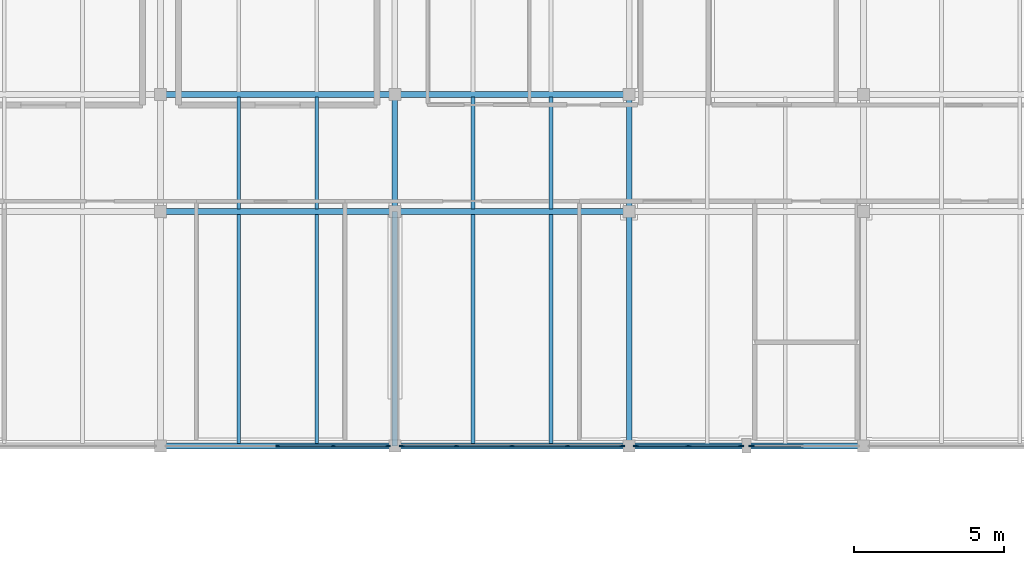
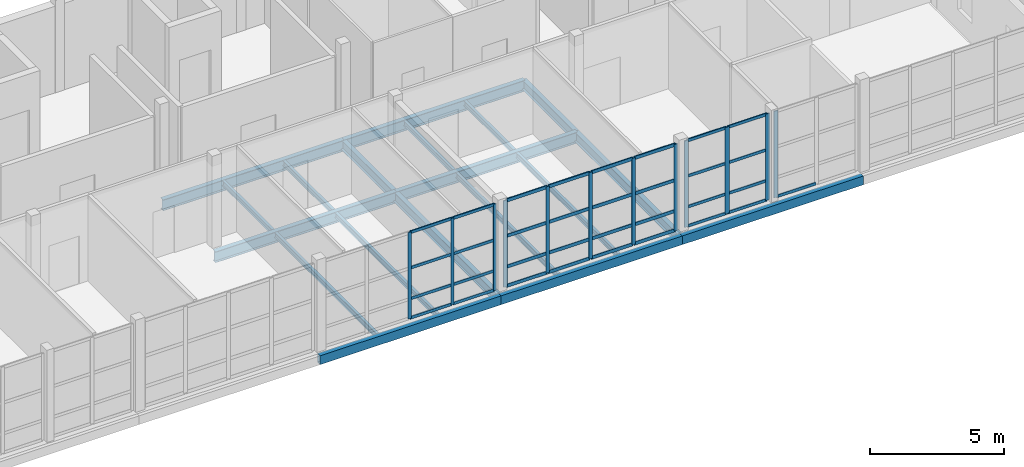
# One storey, part 7 of 21: 45 members, 19 beams, 4 elements without a shape of their own.
"""IFC4 building model written with IfcOpenShell, lengths in metres."""

from ifc_helpers import new_model, si_unit, direction, frame, origin, origin_2d, place, context, subcontext, project, spatial, rectangle, hollow_rectangle, i_section, extrude, material, layer, layer_set, material_profile, profile_set, type_object, element, aggregate, save


model = new_model("IFC4")

# Units and contexts
model_context = context("Model", 3, precision=1e-05, world=origin(), true_north=direction((0.0, 1.0)))
body_context = subcontext(model_context, "Body", "Model", "MODEL_VIEW")
ifc_project = project(units=[si_unit("LENGTHUNIT", "METRE"), si_unit("AREAUNIT", "SQUARE_METRE"), si_unit("VOLUMEUNIT", "CUBIC_METRE"), si_unit("PLANEANGLEUNIT", "RADIAN"), si_unit("MASSUNIT", "GRAM", prefix="KILO")], contexts=[model_context])

# Site, building, storey
site_placement = place(None, origin())
site = spatial("IfcSite", under=ifc_project, at=site_placement, CompositionType="ELEMENT")
building_placement = place(site_placement, origin())
building = spatial("IfcBuilding", under=site, at=building_placement, Name="Celorna Specialist Clinic", CompositionType="ELEMENT")
storey_placement = place(building_placement, frame((0.0, 0.0, 23.10009765625)))
storey = spatial("IfcBuildingStorey", under=building, at=storey_placement, Name="L05", CompositionType="ELEMENT", Elevation=23.10009765625)

# Beams
ifc_material_1 = material(Name="Steel S355", Category="steel")
ifc_material_profile_1 = material_profile(ifc_material_1, i_section(OverallWidth=0.199951171875, OverallDepth=0.5, WebThickness=0.01025390625, FlangeThickness=0.01611328125, at=origin_2d()), Name="IPE 500")
ifc_profile_set_1 = profile_set([ifc_material_profile_1], Name="Steel S355")
beam_type_1 = type_object("IfcBeamType", Name="BM-08", PredefinedType="BEAM", material=ifc_profile_set_1)
for number, where, z_axis, x_axis, name in (
    (1, (62.39990234375, 104.300048828125, -0.530029296875), (1.0, 0.0, 0.0), (0.0, 1.0, 0.0), "Primary girder BM-08 #1424"),
    (2, (70.199951171875, 104.300048828125, -0.530029296875), (1.0, 0.0, 0.0), (0.0, 1.0, 0.0), "Primary girder BM-08 #1425"),
    (3, (62.39990234375, 108.199951171875, -0.530029296875), (1.0, 0.0, 0.0), (0.0, 1.0, 0.0), "Primary girder BM-08 #1430"),
    (4, (70.199951171875, 108.199951171875, -0.530029296875), (1.0, 0.0, 0.0), (0.0, 1.0, 0.0), "Primary girder BM-08 #1431"),
):
    element("IfcBeam", number, at=place(storey_placement, frame(where, z_axis=z_axis, x_axis=x_axis)), inside=storey, type_object=beam_type_1, Name=name, PredefinedType="BEAM", context=body_context, shape_type="SweptSolid", body=[
        extrude(i_section(OverallWidth=0.199951171875, OverallDepth=0.5, WebThickness=0.01025390625, FlangeThickness=0.01611328125, at=origin_2d()), origin(), (0.0, 0.0, 1.0), 7.800048828125),
    ])
ifc_material_profile_2 = material_profile(ifc_material_1, i_section(OverallWidth=0.18994140625, OverallDepth=0.449951171875, WebThickness=0.009521484375, FlangeThickness=0.0146484375, at=origin_2d()), Name="IPE 450")
ifc_profile_set_2 = profile_set([ifc_material_profile_2], Name="Steel S355")
beam_type_2 = type_object("IfcBeamType", Name="BM-09", PredefinedType="BEAM", material=ifc_profile_set_2)
beam_1_placement = place(storey_placement, frame((70.199951171875, 96.5, -0.505126953125), z_axis=(0.0, 1.0, 0.0), x_axis=(-1.0, 0.0, 0.0)))
element("IfcBeam", 5, at=beam_1_placement, inside=storey, type_object=beam_type_2, Name="Transverse girder BM-09 #1449", PredefinedType="BEAM", context=body_context, shape_type="SweptSolid", body=[
    extrude(i_section(OverallWidth=0.18994140625, OverallDepth=0.449951171875, WebThickness=0.009521484375, FlangeThickness=0.0146484375, at=origin_2d()), origin(), (0.0, 0.0, 1.0), 7.800048828125),
])
beam_2_placement = place(storey_placement, frame((70.199951171875, 104.300048828125, -0.505126953125), z_axis=(0.0, 1.0, 0.0), x_axis=(-1.0, 0.0, 0.0)))
element("IfcBeam", 6, at=beam_2_placement, inside=storey, type_object=beam_type_2, Name="Transverse girder BM-09 #1450", PredefinedType="BEAM", context=body_context, shape_type="SweptSolid", body=[
    extrude(i_section(OverallWidth=0.18994140625, OverallDepth=0.449951171875, WebThickness=0.009521484375, FlangeThickness=0.0146484375, at=origin_2d()), origin(), (0.0, 0.0, 1.0), 3.89990234375),
])
beam_3_placement = place(storey_placement, frame((78.0, 96.5, -0.505126953125), z_axis=(0.0, 1.0, 0.0), x_axis=(-1.0, 0.0, 0.0)))
element("IfcBeam", 7, at=beam_3_placement, inside=storey, type_object=beam_type_2, Name="Transverse girder BM-09 #1452", PredefinedType="BEAM", context=body_context, shape_type="SweptSolid", body=[
    extrude(i_section(OverallWidth=0.18994140625, OverallDepth=0.449951171875, WebThickness=0.009521484375, FlangeThickness=0.0146484375, at=origin_2d()), origin(), (0.0, 0.0, 1.0), 7.800048828125),
])
beam_4_placement = place(storey_placement, frame((78.0, 104.300048828125, -0.505126953125), z_axis=(0.0, 1.0, 0.0), x_axis=(-1.0, 0.0, 0.0)))
element("IfcBeam", 8, at=beam_4_placement, inside=storey, type_object=beam_type_2, Name="Transverse girder BM-09 #1453", PredefinedType="BEAM", context=body_context, shape_type="SweptSolid", body=[
    extrude(i_section(OverallWidth=0.18994140625, OverallDepth=0.449951171875, WebThickness=0.009521484375, FlangeThickness=0.0146484375, at=origin_2d()), origin(), (0.0, 0.0, 1.0), 3.89990234375),
])
ifc_material_profile_3 = material_profile(ifc_material_1, hollow_rectangle(XDim=0.199951171875, YDim=0.39990234375, WallThickness=0.011962890625, at=origin_2d()), Name="RHS 200x400x12")
ifc_profile_set_3 = profile_set([ifc_material_profile_3], Name="Steel S355")
beam_type_3 = type_object("IfcBeamType", Name="BM-15", PredefinedType="SPANDREL", material=ifc_profile_set_3)
for number, where, z_axis, x_axis, name in (
    (9, (62.39990234375, 96.5, -0.47998046875), (1.0, 0.0, 0.0), (0.0, 1.0, 0.0), "Spandrel beam BM-15 #1418"),
    (10, (70.199951171875, 96.5, -0.47998046875), (1.0, 0.0, 0.0), (0.0, 1.0, 0.0), "Spandrel beam BM-15 #1419"),
    (11, (78.0, 96.5, -0.47998046875), (1.0, 0.0, 0.0), (0.0, 1.0, 0.0), "Spandrel beam BM-15 #1420"),
):
    element("IfcBeam", number, at=place(storey_placement, frame(where, z_axis=z_axis, x_axis=x_axis)), inside=storey, type_object=beam_type_3, Name=name, PredefinedType="SPANDREL", context=body_context, shape_type="SweptSolid", body=[
        extrude(hollow_rectangle(XDim=0.199951171875, YDim=0.39990234375, WallThickness=0.011962890625, at=origin_2d()), origin(), (0.0, 0.0, 1.0), 7.800048828125),
    ])
ifc_material_profile_4 = material_profile(ifc_material_1, i_section(OverallWidth=0.1201171875, OverallDepth=0.239990234375, WebThickness=0.006103515625, FlangeThickness=0.009765625, at=origin_2d()), Name="IPE 240")
ifc_profile_set_4 = profile_set([ifc_material_profile_4], Name="Steel S355")
beam_type_4 = type_object("IfcBeamType", Name="BM-23", PredefinedType="JOIST", material=ifc_profile_set_4)
for number, where, z_axis, x_axis, name in (
    (12, (65.0, 96.587890625, -0.400146484375), (0.0, 1.0, 0.0), (-1.0, 0.0, 0.0), "Secondary floor joist BM-23 #1471"),
    (13, (67.60009765625, 96.587890625, -0.400146484375), (0.0, 1.0, 0.0), (-1.0, 0.0, 0.0), "Secondary floor joist BM-23 #1472"),
):
    element("IfcBeam", number, at=place(storey_placement, frame(where, z_axis=z_axis, x_axis=x_axis)), inside=storey, type_object=beam_type_4, Name=name, PredefinedType="JOIST", context=body_context, shape_type="SweptSolid", body=[
        extrude(i_section(OverallWidth=0.1201171875, OverallDepth=0.239990234375, WebThickness=0.006103515625, FlangeThickness=0.009765625, at=origin_2d()), origin(), (0.0, 0.0, 1.0), 7.6240234375),
    ])
for number, where, z_axis, x_axis, name in (
    (14, (65.0, 104.387939453125, -0.400146484375), (0.0, 1.0, 0.0), (-1.0, 0.0, 0.0), "Secondary floor joist BM-23 #1473"),
    (15, (67.60009765625, 104.387939453125, -0.400146484375), (0.0, 1.0, 0.0), (-1.0, 0.0, 0.0), "Secondary floor joist BM-23 #1474"),
):
    element("IfcBeam", number, at=place(storey_placement, frame(where, z_axis=z_axis, x_axis=x_axis)), inside=storey, type_object=beam_type_4, Name=name, PredefinedType="JOIST", context=body_context, shape_type="SweptSolid", body=[
        extrude(i_section(OverallWidth=0.1201171875, OverallDepth=0.239990234375, WebThickness=0.006103515625, FlangeThickness=0.009765625, at=origin_2d()), origin(), (0.0, 0.0, 1.0), 3.72412109375),
    ])
for number, where, z_axis, x_axis, name in (
    (16, (72.800048828125, 96.587890625, -0.400146484375), (0.0, 1.0, 0.0), (-1.0, 0.0, 0.0), "Secondary floor joist BM-23 #1477"),
    (17, (75.39990234375, 96.587890625, -0.400146484375), (0.0, 1.0, 0.0), (-1.0, 0.0, 0.0), "Secondary floor joist BM-23 #1478"),
):
    element("IfcBeam", number, at=place(storey_placement, frame(where, z_axis=z_axis, x_axis=x_axis)), inside=storey, type_object=beam_type_4, Name=name, PredefinedType="JOIST", context=body_context, shape_type="SweptSolid", body=[
        extrude(i_section(OverallWidth=0.1201171875, OverallDepth=0.239990234375, WebThickness=0.006103515625, FlangeThickness=0.009765625, at=origin_2d()), origin(), (0.0, 0.0, 1.0), 7.6240234375),
    ])
for number, where, z_axis, x_axis, name in (
    (18, (72.800048828125, 104.387939453125, -0.400146484375), (0.0, 1.0, 0.0), (-1.0, 0.0, 0.0), "Secondary floor joist BM-23 #1479"),
    (19, (75.39990234375, 104.387939453125, -0.400146484375), (0.0, 1.0, 0.0), (-1.0, 0.0, 0.0), "Secondary floor joist BM-23 #1480"),
):
    element("IfcBeam", number, at=place(storey_placement, frame(where, z_axis=z_axis, x_axis=x_axis)), inside=storey, type_object=beam_type_4, Name=name, PredefinedType="JOIST", context=body_context, shape_type="SweptSolid", body=[
        extrude(i_section(OverallWidth=0.1201171875, OverallDepth=0.239990234375, WebThickness=0.006103515625, FlangeThickness=0.009765625, at=origin_2d()), origin(), (0.0, 0.0, 1.0), 3.72412109375),
    ])

# Curtain wall, members
ifc_material_2 = material(Name="Thermally broken aluminium and solar-control glass curtain wall", Category="aluminium")
ifc_layer_1 = layer(ifc_material_2, 0.159912109375, Name="Thermally broken aluminium and solar-control glass curtain wall")
ifc_layer_set_1 = layer_set([ifc_layer_1], Name="Thermally broken aluminium and solar-control glass curtain wall")
curtain_wall_type_1 = type_object("IfcCurtainWallType", Name="CW-80", PredefinedType="NOTDEFINED", material=ifc_layer_set_1)
curtain_wall_1_placement = place(storey_placement, origin())
curtain_wall_1 = element("IfcCurtainWall", 20, at=curtain_wall_1_placement, inside=storey, type_object=curtain_wall_type_1, Name="Curtain wall CW-80 #149", PredefinedType="NOTDEFINED")
ifc_material_3 = material(Name="Anodized aluminium mullion", Category="aluminium")
ifc_material_profile_5 = material_profile(ifc_material_3, rectangle(XDim=0.050048828125, YDim=0.159912109375, at=origin_2d()), Name="ALU MULLION 50x160")
ifc_profile_set_5 = profile_set([ifc_material_profile_5], Name="Anodized aluminium mullion")
member_type_1 = type_object("IfcMemberType", Name="ML-01", PredefinedType="MULLION", material=ifc_profile_set_5)
member_1_placement = place(storey_placement, frame((77.77099609375, 96.5, 0.0), z_axis=(0.0, 0.0, 1.0), x_axis=(0.0, -1.0, 0.0)))
member_1 = element("IfcMember", 21, at=member_1_placement, type_object=member_type_1, Name="CW-80 mullion 1", PredefinedType="MULLION", context=body_context, shape_type="SweptSolid", body=[
    extrude(rectangle(XDim=0.050048828125, YDim=0.159912109375, at=origin_2d()), origin(), (0.0, 0.0, 1.0), 3.93994140625),
])
member_2_placement = place(storey_placement, frame((75.947998046875, 96.5, 0.0), z_axis=(0.0, 0.0, 1.0), x_axis=(0.0, -1.0, 0.0)))
member_2 = element("IfcMember", 22, at=member_2_placement, type_object=member_type_1, Name="CW-80 mullion 2", PredefinedType="MULLION", context=body_context, shape_type="SweptSolid", body=[
    extrude(rectangle(XDim=0.050048828125, YDim=0.159912109375, at=origin_2d()), origin(), (0.0, 0.0, 1.0), 3.93994140625),
])
member_3_placement = place(storey_placement, frame((74.10009765625, 96.5, 0.0), z_axis=(0.0, 0.0, 1.0), x_axis=(0.0, -1.0, 0.0)))
member_3 = element("IfcMember", 23, at=member_3_placement, type_object=member_type_1, Name="CW-80 mullion 3", PredefinedType="MULLION", context=body_context, shape_type="SweptSolid", body=[
    extrude(rectangle(XDim=0.050048828125, YDim=0.159912109375, at=origin_2d()), origin(), (0.0, 0.0, 1.0), 3.93994140625),
])
member_4_placement = place(storey_placement, frame((72.251953125, 96.5, 0.0), z_axis=(0.0, 0.0, 1.0), x_axis=(0.0, -1.0, 0.0)))
member_4 = element("IfcMember", 24, at=member_4_placement, type_object=member_type_1, Name="CW-80 mullion 4", PredefinedType="MULLION", context=body_context, shape_type="SweptSolid", body=[
    extrude(rectangle(XDim=0.050048828125, YDim=0.159912109375, at=origin_2d()), origin(), (0.0, 0.0, 1.0), 3.93994140625),
])
member_5_placement = place(storey_placement, frame((70.428955078125, 96.5, 0.0), z_axis=(0.0, 0.0, 1.0), x_axis=(0.0, -1.0, 0.0)))
member_5 = element("IfcMember", 25, at=member_5_placement, type_object=member_type_1, Name="CW-80 mullion 5", PredefinedType="MULLION", context=body_context, shape_type="SweptSolid", body=[
    extrude(rectangle(XDim=0.050048828125, YDim=0.159912109375, at=origin_2d()), origin(), (0.0, 0.0, 1.0), 3.93994140625),
])

# Curtain wall, member
ifc_layer_2 = layer(ifc_material_2, 0.159912109375, Name="Thermally broken aluminium and solar-control glass curtain wall")
ifc_layer_set_2 = layer_set([ifc_layer_2], Name="Thermally broken aluminium and solar-control glass curtain wall")
curtain_wall_type_2 = type_object("IfcCurtainWallType", Name="CW-81", PredefinedType="NOTDEFINED", material=ifc_layer_set_2)
curtain_wall_2_placement = place(storey_placement, origin())
curtain_wall_2 = element("IfcCurtainWall", 26, at=curtain_wall_2_placement, inside=storey, type_object=curtain_wall_type_2, Name="Curtain wall CW-81 #150", PredefinedType="NOTDEFINED")
ifc_material_profile_6 = material_profile(ifc_material_3, rectangle(XDim=0.050048828125, YDim=0.179931640625, at=origin_2d()), Name="ALU MULLION 50x180")
ifc_profile_set_6 = profile_set([ifc_material_profile_6], Name="Anodized aluminium mullion")
member_type_2 = type_object("IfcMemberType", Name="ML-02", PredefinedType="MULLION", material=ifc_profile_set_6)
member_6_placement = place(storey_placement, frame((82.0791015625, 96.5, 0.0), z_axis=(0.0, 0.0, 1.0), x_axis=(0.0, -1.0, 0.0)))
member_6 = element("IfcMember", 27, at=member_6_placement, type_object=member_type_2, Name="CW-81 mullion 3", PredefinedType="MULLION", context=body_context, shape_type="SweptSolid", body=[
    extrude(rectangle(XDim=0.050048828125, YDim=0.179931640625, at=origin_2d()), origin(), (0.0, 0.0, 1.0), 3.93994140625),
])

# Curtain wall, members
curtain_wall_3_placement = place(storey_placement, origin())
curtain_wall_3 = element("IfcCurtainWall", 28, at=curtain_wall_3_placement, inside=storey, type_object=curtain_wall_type_2, Name="Curtain wall CW-81 #151", PredefinedType="NOTDEFINED")
member_7_placement = place(storey_placement, frame((81.720947265625, 96.5, 0.0), z_axis=(0.0, 0.0, 1.0), x_axis=(0.0, -1.0, 0.0)))
member_7 = element("IfcMember", 29, at=member_7_placement, type_object=member_type_2, Name="CW-81 mullion 1", PredefinedType="MULLION", context=body_context, shape_type="SweptSolid", body=[
    extrude(rectangle(XDim=0.050048828125, YDim=0.179931640625, at=origin_2d()), origin(), (0.0, 0.0, 1.0), 3.93994140625),
])
member_8_placement = place(storey_placement, frame((79.97509765625, 96.5, 0.0), z_axis=(0.0, 0.0, 1.0), x_axis=(0.0, -1.0, 0.0)))
member_8 = element("IfcMember", 30, at=member_8_placement, type_object=member_type_2, Name="CW-81 mullion 2", PredefinedType="MULLION", context=body_context, shape_type="SweptSolid", body=[
    extrude(rectangle(XDim=0.050048828125, YDim=0.179931640625, at=origin_2d()), origin(), (0.0, 0.0, 1.0), 3.93994140625),
])
member_9_placement = place(storey_placement, frame((78.22900390625, 96.5, 0.0), z_axis=(0.0, 0.0, 1.0), x_axis=(0.0, -1.0, 0.0)))
member_9 = element("IfcMember", 31, at=member_9_placement, type_object=member_type_2, Name="CW-81 mullion 3", PredefinedType="MULLION", context=body_context, shape_type="SweptSolid", body=[
    extrude(rectangle(XDim=0.050048828125, YDim=0.179931640625, at=origin_2d()), origin(), (0.0, 0.0, 1.0), 3.93994140625),
])

ifc_layer_3 = layer(ifc_material_2, 0.159912109375, Name="Thermally broken aluminium and solar-control glass curtain wall")
ifc_layer_set_3 = layer_set([ifc_layer_3], Name="Thermally broken aluminium and solar-control glass curtain wall")
curtain_wall_type_3 = type_object("IfcCurtainWallType", Name="CW-79", PredefinedType="NOTDEFINED", material=ifc_layer_set_3)
curtain_wall_4_placement = place(storey_placement, origin())
curtain_wall_4 = element("IfcCurtainWall", 32, at=curtain_wall_4_placement, inside=storey, type_object=curtain_wall_type_3, Name="Curtain wall CW-79 #148", PredefinedType="NOTDEFINED")
ifc_material_profile_7 = material_profile(ifc_material_3, rectangle(XDim=0.050048828125, YDim=0.139892578125, at=origin_2d()), Name="ALU MULLION 50x140")
ifc_profile_set_7 = profile_set([ifc_material_profile_7], Name="Anodized aluminium mullion")
member_type_3 = type_object("IfcMemberType", Name="ML-03", PredefinedType="MULLION", material=ifc_profile_set_7)
member_10_placement = place(storey_placement, frame((69.970947265625, 96.5, 0.0), z_axis=(0.0, 0.0, 1.0), x_axis=(0.0, -1.0, 0.0)))
member_10 = element("IfcMember", 33, at=member_10_placement, type_object=member_type_3, Name="CW-79 mullion 1", PredefinedType="MULLION", context=body_context, shape_type="SweptSolid", body=[
    extrude(rectangle(XDim=0.050048828125, YDim=0.139892578125, at=origin_2d()), origin(), (0.0, 0.0, 1.0), 3.93994140625),
])
member_11_placement = place(storey_placement, frame((68.14794921875, 96.5, 0.0), z_axis=(0.0, 0.0, 1.0), x_axis=(0.0, -1.0, 0.0)))
member_11 = element("IfcMember", 34, at=member_11_placement, type_object=member_type_3, Name="CW-79 mullion 2", PredefinedType="MULLION", context=body_context, shape_type="SweptSolid", body=[
    extrude(rectangle(XDim=0.050048828125, YDim=0.139892578125, at=origin_2d()), origin(), (0.0, 0.0, 1.0), 3.93994140625),
])
member_12_placement = place(storey_placement, frame((66.300048828125, 96.5, 0.0), z_axis=(0.0, 0.0, 1.0), x_axis=(0.0, -1.0, 0.0)))
member_12 = element("IfcMember", 35, at=member_12_placement, type_object=member_type_3, Name="CW-79 mullion 3", PredefinedType="MULLION", context=body_context, shape_type="SweptSolid", body=[
    extrude(rectangle(XDim=0.050048828125, YDim=0.139892578125, at=origin_2d()), origin(), (0.0, 0.0, 1.0), 3.93994140625),
])
ifc_material_4 = material(Name="Anodized aluminium transom", Category="aluminium")
ifc_material_profile_8 = material_profile(ifc_material_4, rectangle(XDim=0.050048828125, YDim=0.1298828125, at=origin_2d()), Name="ALU TRANSOM 50x130")
ifc_profile_set_8 = profile_set([ifc_material_profile_8], Name="Anodized aluminium transom")
member_type_4 = type_object("IfcMemberType", Name="TR-01", PredefinedType="USERDEFINED", material=ifc_profile_set_8)
member_13_placement = place(storey_placement, frame((69.946044921875, 96.5, 0.02490234375), z_axis=(-1.0, 0.0, 0.0), x_axis=(0.0, -1.0, 0.0)))
member_13 = element("IfcMember", 36, at=member_13_placement, type_object=member_type_4, Name="CW-79 transom 1.1", ObjectType="TRANSOM", PredefinedType="USERDEFINED", context=body_context, shape_type="SweptSolid", body=[
    extrude(rectangle(XDim=0.050048828125, YDim=0.1298828125, at=origin_2d()), origin(), (0.0, 0.0, 1.0), 1.77294921875),
])
member_14_placement = place(storey_placement, frame((69.946044921875, 96.5, 0.89990234375), z_axis=(-1.0, 0.0, 0.0), x_axis=(0.0, -1.0, 0.0)))
member_14 = element("IfcMember", 37, at=member_14_placement, type_object=member_type_4, Name="CW-79 transom 1.2", ObjectType="TRANSOM", PredefinedType="USERDEFINED", context=body_context, shape_type="SweptSolid", body=[
    extrude(rectangle(XDim=0.050048828125, YDim=0.1298828125, at=origin_2d()), origin(), (0.0, 0.0, 1.0), 1.77294921875),
])
member_15_placement = place(storey_placement, frame((69.946044921875, 96.5, 2.2998046875), z_axis=(-1.0, 0.0, 0.0), x_axis=(0.0, -1.0, 0.0)))
member_15 = element("IfcMember", 38, at=member_15_placement, type_object=member_type_4, Name="CW-79 transom 1.3", ObjectType="TRANSOM", PredefinedType="USERDEFINED", context=body_context, shape_type="SweptSolid", body=[
    extrude(rectangle(XDim=0.050048828125, YDim=0.1298828125, at=origin_2d()), origin(), (0.0, 0.0, 1.0), 1.77294921875),
])
member_16_placement = place(storey_placement, frame((69.946044921875, 96.5, 3.914794921875), z_axis=(-1.0, 0.0, 0.0), x_axis=(0.0, -1.0, 0.0)))
member_16 = element("IfcMember", 39, at=member_16_placement, type_object=member_type_4, Name="CW-79 transom 1.4", ObjectType="TRANSOM", PredefinedType="USERDEFINED", context=body_context, shape_type="SweptSolid", body=[
    extrude(rectangle(XDim=0.050048828125, YDim=0.1298828125, at=origin_2d()), origin(), (0.0, 0.0, 1.0), 1.77294921875),
])
member_17_placement = place(storey_placement, frame((68.123046875, 96.5, 0.02490234375), z_axis=(-1.0, 0.0, 0.0), x_axis=(0.0, -1.0, 0.0)))
member_17 = element("IfcMember", 40, at=member_17_placement, type_object=member_type_4, Name="CW-79 transom 2.1", ObjectType="TRANSOM", PredefinedType="USERDEFINED", context=body_context, shape_type="SweptSolid", body=[
    extrude(rectangle(XDim=0.050048828125, YDim=0.1298828125, at=origin_2d()), origin(), (0.0, 0.0, 1.0), 1.798095703125),
])
member_18_placement = place(storey_placement, frame((68.123046875, 96.5, 0.89990234375), z_axis=(-1.0, 0.0, 0.0), x_axis=(0.0, -1.0, 0.0)))
member_18 = element("IfcMember", 41, at=member_18_placement, type_object=member_type_4, Name="CW-79 transom 2.2", ObjectType="TRANSOM", PredefinedType="USERDEFINED", context=body_context, shape_type="SweptSolid", body=[
    extrude(rectangle(XDim=0.050048828125, YDim=0.1298828125, at=origin_2d()), origin(), (0.0, 0.0, 1.0), 1.798095703125),
])
member_19_placement = place(storey_placement, frame((68.123046875, 96.5, 2.2998046875), z_axis=(-1.0, 0.0, 0.0), x_axis=(0.0, -1.0, 0.0)))
member_19 = element("IfcMember", 42, at=member_19_placement, type_object=member_type_4, Name="CW-79 transom 2.3", ObjectType="TRANSOM", PredefinedType="USERDEFINED", context=body_context, shape_type="SweptSolid", body=[
    extrude(rectangle(XDim=0.050048828125, YDim=0.1298828125, at=origin_2d()), origin(), (0.0, 0.0, 1.0), 1.798095703125),
])
member_20_placement = place(storey_placement, frame((68.123046875, 96.5, 3.914794921875), z_axis=(-1.0, 0.0, 0.0), x_axis=(0.0, -1.0, 0.0)))
member_20 = element("IfcMember", 43, at=member_20_placement, type_object=member_type_4, Name="CW-79 transom 2.4", ObjectType="TRANSOM", PredefinedType="USERDEFINED", context=body_context, shape_type="SweptSolid", body=[
    extrude(rectangle(XDim=0.050048828125, YDim=0.1298828125, at=origin_2d()), origin(), (0.0, 0.0, 1.0), 1.798095703125),
])
aggregate(curtain_wall_4, [member_10, member_11, member_12, member_13, member_14, member_15, member_16, member_17, member_18, member_19, member_20])

# Member
member_21_placement = place(storey_placement, frame((83.800048828125, 96.5, 0.02490234375), z_axis=(-1.0, 0.0, 0.0), x_axis=(0.0, -1.0, 0.0)))
member_21 = element("IfcMember", 44, at=member_21_placement, type_object=member_type_4, Name="CW-81 transom 2.1", ObjectType="TRANSOM", PredefinedType="USERDEFINED", context=body_context, shape_type="SweptSolid", body=[
    extrude(rectangle(XDim=0.050048828125, YDim=0.1298828125, at=origin_2d()), origin(), (0.0, 0.0, 1.0), 1.696044921875),
])

aggregate(curtain_wall_2, [member_6, member_21])

member_22_placement = place(storey_placement, frame((81.696044921875, 96.5, 0.02490234375), z_axis=(-1.0, 0.0, 0.0), x_axis=(0.0, -1.0, 0.0)))
member_22 = element("IfcMember", 45, at=member_22_placement, type_object=member_type_4, Name="CW-81 transom 1.1", ObjectType="TRANSOM", PredefinedType="USERDEFINED", context=body_context, shape_type="SweptSolid", body=[
    extrude(rectangle(XDim=0.050048828125, YDim=0.1298828125, at=origin_2d()), origin(), (0.0, 0.0, 1.0), 1.696044921875),
])

member_23_placement = place(storey_placement, frame((81.696044921875, 96.5, 0.89990234375), z_axis=(-1.0, 0.0, 0.0), x_axis=(0.0, -1.0, 0.0)))
member_23 = element("IfcMember", 46, at=member_23_placement, type_object=member_type_4, Name="CW-81 transom 1.2", ObjectType="TRANSOM", PredefinedType="USERDEFINED", context=body_context, shape_type="SweptSolid", body=[
    extrude(rectangle(XDim=0.050048828125, YDim=0.1298828125, at=origin_2d()), origin(), (0.0, 0.0, 1.0), 1.696044921875),
])

member_24_placement = place(storey_placement, frame((81.696044921875, 96.5, 2.2998046875), z_axis=(-1.0, 0.0, 0.0), x_axis=(0.0, -1.0, 0.0)))
member_24 = element("IfcMember", 47, at=member_24_placement, type_object=member_type_4, Name="CW-81 transom 1.3", ObjectType="TRANSOM", PredefinedType="USERDEFINED", context=body_context, shape_type="SweptSolid", body=[
    extrude(rectangle(XDim=0.050048828125, YDim=0.1298828125, at=origin_2d()), origin(), (0.0, 0.0, 1.0), 1.696044921875),
])

member_25_placement = place(storey_placement, frame((81.696044921875, 96.5, 3.914794921875), z_axis=(-1.0, 0.0, 0.0), x_axis=(0.0, -1.0, 0.0)))
member_25 = element("IfcMember", 48, at=member_25_placement, type_object=member_type_4, Name="CW-81 transom 1.4", ObjectType="TRANSOM", PredefinedType="USERDEFINED", context=body_context, shape_type="SweptSolid", body=[
    extrude(rectangle(XDim=0.050048828125, YDim=0.1298828125, at=origin_2d()), origin(), (0.0, 0.0, 1.0), 1.696044921875),
])

member_26_placement = place(storey_placement, frame((79.949951171875, 96.5, 0.02490234375), z_axis=(-1.0, 0.0, 0.0), x_axis=(0.0, -1.0, 0.0)))
member_26 = element("IfcMember", 49, at=member_26_placement, type_object=member_type_4, Name="CW-81 transom 2.1", ObjectType="TRANSOM", PredefinedType="USERDEFINED", context=body_context, shape_type="SweptSolid", body=[
    extrude(rectangle(XDim=0.050048828125, YDim=0.1298828125, at=origin_2d()), origin(), (0.0, 0.0, 1.0), 1.696044921875),
])

member_27_placement = place(storey_placement, frame((79.949951171875, 96.5, 0.89990234375), z_axis=(-1.0, 0.0, 0.0), x_axis=(0.0, -1.0, 0.0)))
member_27 = element("IfcMember", 50, at=member_27_placement, type_object=member_type_4, Name="CW-81 transom 2.2", ObjectType="TRANSOM", PredefinedType="USERDEFINED", context=body_context, shape_type="SweptSolid", body=[
    extrude(rectangle(XDim=0.050048828125, YDim=0.1298828125, at=origin_2d()), origin(), (0.0, 0.0, 1.0), 1.696044921875),
])

member_28_placement = place(storey_placement, frame((79.949951171875, 96.5, 2.2998046875), z_axis=(-1.0, 0.0, 0.0), x_axis=(0.0, -1.0, 0.0)))
member_28 = element("IfcMember", 51, at=member_28_placement, type_object=member_type_4, Name="CW-81 transom 2.3", ObjectType="TRANSOM", PredefinedType="USERDEFINED", context=body_context, shape_type="SweptSolid", body=[
    extrude(rectangle(XDim=0.050048828125, YDim=0.1298828125, at=origin_2d()), origin(), (0.0, 0.0, 1.0), 1.696044921875),
])

member_29_placement = place(storey_placement, frame((79.949951171875, 96.5, 3.914794921875), z_axis=(-1.0, 0.0, 0.0), x_axis=(0.0, -1.0, 0.0)))
member_29 = element("IfcMember", 52, at=member_29_placement, type_object=member_type_4, Name="CW-81 transom 2.4", ObjectType="TRANSOM", PredefinedType="USERDEFINED", context=body_context, shape_type="SweptSolid", body=[
    extrude(rectangle(XDim=0.050048828125, YDim=0.1298828125, at=origin_2d()), origin(), (0.0, 0.0, 1.0), 1.696044921875),
])

aggregate(curtain_wall_3, [member_7, member_8, member_9, member_22, member_23, member_24, member_25, member_26, member_27, member_28, member_29])

ifc_material_profile_9 = material_profile(ifc_material_4, rectangle(XDim=0.050048828125, YDim=0.14990234375, at=origin_2d()), Name="ALU TRANSOM 50x150")
ifc_profile_set_9 = profile_set([ifc_material_profile_9], Name="Anodized aluminium transom")
member_type_5 = type_object("IfcMemberType", Name="TR-02", PredefinedType="USERDEFINED", material=ifc_profile_set_9)
member_30_placement = place(storey_placement, frame((77.74609375, 96.5, 0.02490234375), z_axis=(-1.0, 0.0, 0.0), x_axis=(0.0, -1.0, 0.0)))
member_30 = element("IfcMember", 53, at=member_30_placement, type_object=member_type_5, Name="CW-80 transom 1.1", ObjectType="TRANSOM", PredefinedType="USERDEFINED", context=body_context, shape_type="SweptSolid", body=[
    extrude(rectangle(XDim=0.050048828125, YDim=0.14990234375, at=origin_2d()), origin(), (0.0, 0.0, 1.0), 1.773193359375),
])

member_31_placement = place(storey_placement, frame((77.74609375, 96.5, 0.89990234375), z_axis=(-1.0, 0.0, 0.0), x_axis=(0.0, -1.0, 0.0)))
member_31 = element("IfcMember", 54, at=member_31_placement, type_object=member_type_5, Name="CW-80 transom 1.2", ObjectType="TRANSOM", PredefinedType="USERDEFINED", context=body_context, shape_type="SweptSolid", body=[
    extrude(rectangle(XDim=0.050048828125, YDim=0.14990234375, at=origin_2d()), origin(), (0.0, 0.0, 1.0), 1.773193359375),
])

member_32_placement = place(storey_placement, frame((77.74609375, 96.5, 2.2998046875), z_axis=(-1.0, 0.0, 0.0), x_axis=(0.0, -1.0, 0.0)))
member_32 = element("IfcMember", 55, at=member_32_placement, type_object=member_type_5, Name="CW-80 transom 1.3", ObjectType="TRANSOM", PredefinedType="USERDEFINED", context=body_context, shape_type="SweptSolid", body=[
    extrude(rectangle(XDim=0.050048828125, YDim=0.14990234375, at=origin_2d()), origin(), (0.0, 0.0, 1.0), 1.773193359375),
])

member_33_placement = place(storey_placement, frame((77.74609375, 96.5, 3.914794921875), z_axis=(-1.0, 0.0, 0.0), x_axis=(0.0, -1.0, 0.0)))
member_33 = element("IfcMember", 56, at=member_33_placement, type_object=member_type_5, Name="CW-80 transom 1.4", ObjectType="TRANSOM", PredefinedType="USERDEFINED", context=body_context, shape_type="SweptSolid", body=[
    extrude(rectangle(XDim=0.050048828125, YDim=0.14990234375, at=origin_2d()), origin(), (0.0, 0.0, 1.0), 1.773193359375),
])

member_34_placement = place(storey_placement, frame((75.923095703125, 96.5, 0.02490234375), z_axis=(-1.0, 0.0, 0.0), x_axis=(0.0, -1.0, 0.0)))
member_34 = element("IfcMember", 57, at=member_34_placement, type_object=member_type_5, Name="CW-80 transom 2.1", ObjectType="TRANSOM", PredefinedType="USERDEFINED", context=body_context, shape_type="SweptSolid", body=[
    extrude(rectangle(XDim=0.050048828125, YDim=0.14990234375, at=origin_2d()), origin(), (0.0, 0.0, 1.0), 1.798095703125),
])

member_35_placement = place(storey_placement, frame((75.923095703125, 96.5, 0.89990234375), z_axis=(-1.0, 0.0, 0.0), x_axis=(0.0, -1.0, 0.0)))
member_35 = element("IfcMember", 58, at=member_35_placement, type_object=member_type_5, Name="CW-80 transom 2.2", ObjectType="TRANSOM", PredefinedType="USERDEFINED", context=body_context, shape_type="SweptSolid", body=[
    extrude(rectangle(XDim=0.050048828125, YDim=0.14990234375, at=origin_2d()), origin(), (0.0, 0.0, 1.0), 1.798095703125),
])

member_36_placement = place(storey_placement, frame((75.923095703125, 96.5, 2.2998046875), z_axis=(-1.0, 0.0, 0.0), x_axis=(0.0, -1.0, 0.0)))
member_36 = element("IfcMember", 59, at=member_36_placement, type_object=member_type_5, Name="CW-80 transom 2.3", ObjectType="TRANSOM", PredefinedType="USERDEFINED", context=body_context, shape_type="SweptSolid", body=[
    extrude(rectangle(XDim=0.050048828125, YDim=0.14990234375, at=origin_2d()), origin(), (0.0, 0.0, 1.0), 1.798095703125),
])

member_37_placement = place(storey_placement, frame((75.923095703125, 96.5, 3.914794921875), z_axis=(-1.0, 0.0, 0.0), x_axis=(0.0, -1.0, 0.0)))
member_37 = element("IfcMember", 60, at=member_37_placement, type_object=member_type_5, Name="CW-80 transom 2.4", ObjectType="TRANSOM", PredefinedType="USERDEFINED", context=body_context, shape_type="SweptSolid", body=[
    extrude(rectangle(XDim=0.050048828125, YDim=0.14990234375, at=origin_2d()), origin(), (0.0, 0.0, 1.0), 1.798095703125),
])

member_38_placement = place(storey_placement, frame((74.074951171875, 96.5, 0.02490234375), z_axis=(-1.0, 0.0, 0.0), x_axis=(0.0, -1.0, 0.0)))
member_38 = element("IfcMember", 61, at=member_38_placement, type_object=member_type_5, Name="CW-80 transom 3.1", ObjectType="TRANSOM", PredefinedType="USERDEFINED", context=body_context, shape_type="SweptSolid", body=[
    extrude(rectangle(XDim=0.050048828125, YDim=0.14990234375, at=origin_2d()), origin(), (0.0, 0.0, 1.0), 1.7978515625),
])

member_39_placement = place(storey_placement, frame((74.074951171875, 96.5, 0.89990234375), z_axis=(-1.0, 0.0, 0.0), x_axis=(0.0, -1.0, 0.0)))
member_39 = element("IfcMember", 62, at=member_39_placement, type_object=member_type_5, Name="CW-80 transom 3.2", ObjectType="TRANSOM", PredefinedType="USERDEFINED", context=body_context, shape_type="SweptSolid", body=[
    extrude(rectangle(XDim=0.050048828125, YDim=0.14990234375, at=origin_2d()), origin(), (0.0, 0.0, 1.0), 1.7978515625),
])

member_40_placement = place(storey_placement, frame((74.074951171875, 96.5, 2.2998046875), z_axis=(-1.0, 0.0, 0.0), x_axis=(0.0, -1.0, 0.0)))
member_40 = element("IfcMember", 63, at=member_40_placement, type_object=member_type_5, Name="CW-80 transom 3.3", ObjectType="TRANSOM", PredefinedType="USERDEFINED", context=body_context, shape_type="SweptSolid", body=[
    extrude(rectangle(XDim=0.050048828125, YDim=0.14990234375, at=origin_2d()), origin(), (0.0, 0.0, 1.0), 1.7978515625),
])

member_41_placement = place(storey_placement, frame((74.074951171875, 96.5, 3.914794921875), z_axis=(-1.0, 0.0, 0.0), x_axis=(0.0, -1.0, 0.0)))
member_41 = element("IfcMember", 64, at=member_41_placement, type_object=member_type_5, Name="CW-80 transom 3.4", ObjectType="TRANSOM", PredefinedType="USERDEFINED", context=body_context, shape_type="SweptSolid", body=[
    extrude(rectangle(XDim=0.050048828125, YDim=0.14990234375, at=origin_2d()), origin(), (0.0, 0.0, 1.0), 1.7978515625),
])

member_42_placement = place(storey_placement, frame((72.22705078125, 96.5, 0.02490234375), z_axis=(-1.0, 0.0, 0.0), x_axis=(0.0, -1.0, 0.0)))
member_42 = element("IfcMember", 65, at=member_42_placement, type_object=member_type_5, Name="CW-80 transom 4.1", ObjectType="TRANSOM", PredefinedType="USERDEFINED", context=body_context, shape_type="SweptSolid", body=[
    extrude(rectangle(XDim=0.050048828125, YDim=0.14990234375, at=origin_2d()), origin(), (0.0, 0.0, 1.0), 1.77294921875),
])

member_43_placement = place(storey_placement, frame((72.22705078125, 96.5, 0.89990234375), z_axis=(-1.0, 0.0, 0.0), x_axis=(0.0, -1.0, 0.0)))
member_43 = element("IfcMember", 66, at=member_43_placement, type_object=member_type_5, Name="CW-80 transom 4.2", ObjectType="TRANSOM", PredefinedType="USERDEFINED", context=body_context, shape_type="SweptSolid", body=[
    extrude(rectangle(XDim=0.050048828125, YDim=0.14990234375, at=origin_2d()), origin(), (0.0, 0.0, 1.0), 1.77294921875),
])

member_44_placement = place(storey_placement, frame((72.22705078125, 96.5, 2.2998046875), z_axis=(-1.0, 0.0, 0.0), x_axis=(0.0, -1.0, 0.0)))
member_44 = element("IfcMember", 67, at=member_44_placement, type_object=member_type_5, Name="CW-80 transom 4.3", ObjectType="TRANSOM", PredefinedType="USERDEFINED", context=body_context, shape_type="SweptSolid", body=[
    extrude(rectangle(XDim=0.050048828125, YDim=0.14990234375, at=origin_2d()), origin(), (0.0, 0.0, 1.0), 1.77294921875),
])

member_45_placement = place(storey_placement, frame((72.22705078125, 96.5, 3.914794921875), z_axis=(-1.0, 0.0, 0.0), x_axis=(0.0, -1.0, 0.0)))
member_45 = element("IfcMember", 68, at=member_45_placement, type_object=member_type_5, Name="CW-80 transom 4.4", ObjectType="TRANSOM", PredefinedType="USERDEFINED", context=body_context, shape_type="SweptSolid", body=[
    extrude(rectangle(XDim=0.050048828125, YDim=0.14990234375, at=origin_2d()), origin(), (0.0, 0.0, 1.0), 1.77294921875),
])

aggregate(curtain_wall_1, [member_1, member_2, member_3, member_4, member_5, member_30, member_31, member_32, member_33, member_34, member_35, member_36, member_37, member_38, member_39, member_40, member_41, member_42, member_43, member_44, member_45])

save(model, "model.ifc")
